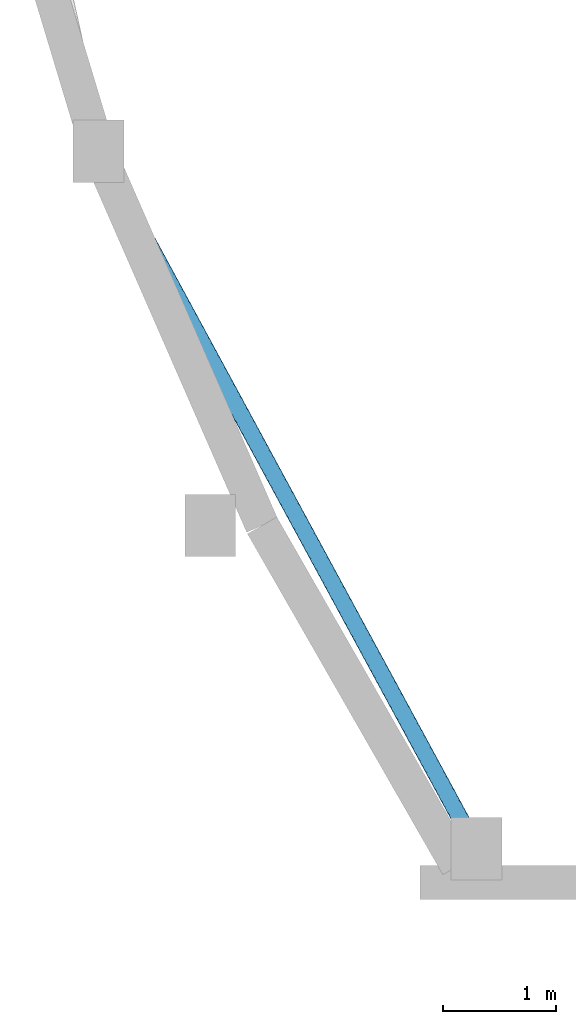
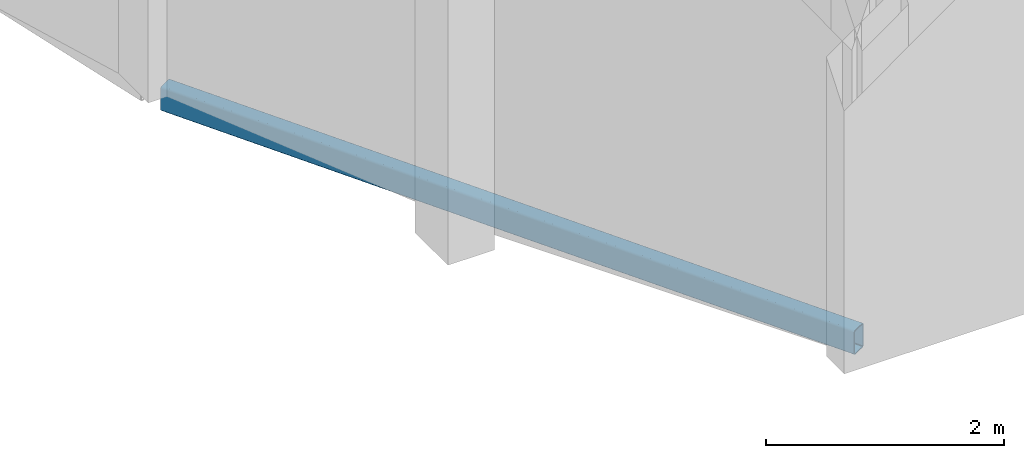
# One storey, part 29 of 89: 1 beam.
"""IFC4 building model written with IfcOpenShell, lengths in metres."""

from ifc_helpers import new_model, si_unit, direction, frame, origin, origin_2d, place, context, subcontext, project, spatial, hollow_rectangle, extrude, material, material_profile, profile_set, type_object, element, save


model = new_model("IFC4")

# Units and contexts
model_context = context("Model", 3, precision=1e-05, world=origin(), true_north=direction((0.0, 1.0)))
body_context = subcontext(model_context, "Body", "Model", "MODEL_VIEW")
ifc_project = project(units=[si_unit("LENGTHUNIT", "METRE"), si_unit("AREAUNIT", "SQUARE_METRE"), si_unit("VOLUMEUNIT", "CUBIC_METRE"), si_unit("PLANEANGLEUNIT", "RADIAN"), si_unit("MASSUNIT", "GRAM", prefix="KILO")], contexts=[model_context])

# Site, building, storey
site_placement = place(None, origin())
site = spatial("IfcSite", under=ifc_project, at=site_placement, CompositionType="ELEMENT")
building_placement = place(site_placement, origin())
building = spatial("IfcBuilding", under=site, at=building_placement, Name="Kelanivale Promenade Academy", CompositionType="ELEMENT")
storey_placement = place(building_placement, frame((0.0, 0.0, 12.199951171875)))
storey = spatial("IfcBuildingStorey", under=building, at=storey_placement, Name="L03", CompositionType="ELEMENT", Elevation=12.199951171875)

# Beam
ifc_material = material(Name="Steel S355", Category="steel")
ifc_material_profile = material_profile(ifc_material, hollow_rectangle(XDim=0.14990234375, YDim=0.25, WallThickness=0.010009765625, InnerFilletRadius=0.010009765625, OuterFilletRadius=0.02001953125, at=origin_2d()), Name="RHS 250x150x10.0")
ifc_profile_set = profile_set([ifc_material_profile], Name="Steel S355")
beam_type = type_object("IfcBeamType", Name="SB-13 RHS 250x150x10.0", PredefinedType="SPANDREL", material=ifc_profile_set)
beam_placement = place(storey_placement, frame((128.10205078125, 33.5380859375, -0.125), z_axis=(-0.476573382947, 0.879134694268, 0.0), x_axis=(-0.879134694268, -0.476573382947, 0.0)))
element("IfcBeam", 1, at=beam_placement, inside=storey, type_object=beam_type, Name="Assembly Hall Arc Pavilion inner kidney ring beam SB-13", PredefinedType="SPANDREL", context=body_context, shape_type="SweptSolid", body=[
    extrude(hollow_rectangle(XDim=0.14990234375, YDim=0.25, WallThickness=0.010009765625, InnerFilletRadius=0.010009765625, OuterFilletRadius=0.02001953125, at=origin_2d()), origin(), (0.0, 0.0, 1.0), 6.828125),
])

save(model, "model.ifc")
